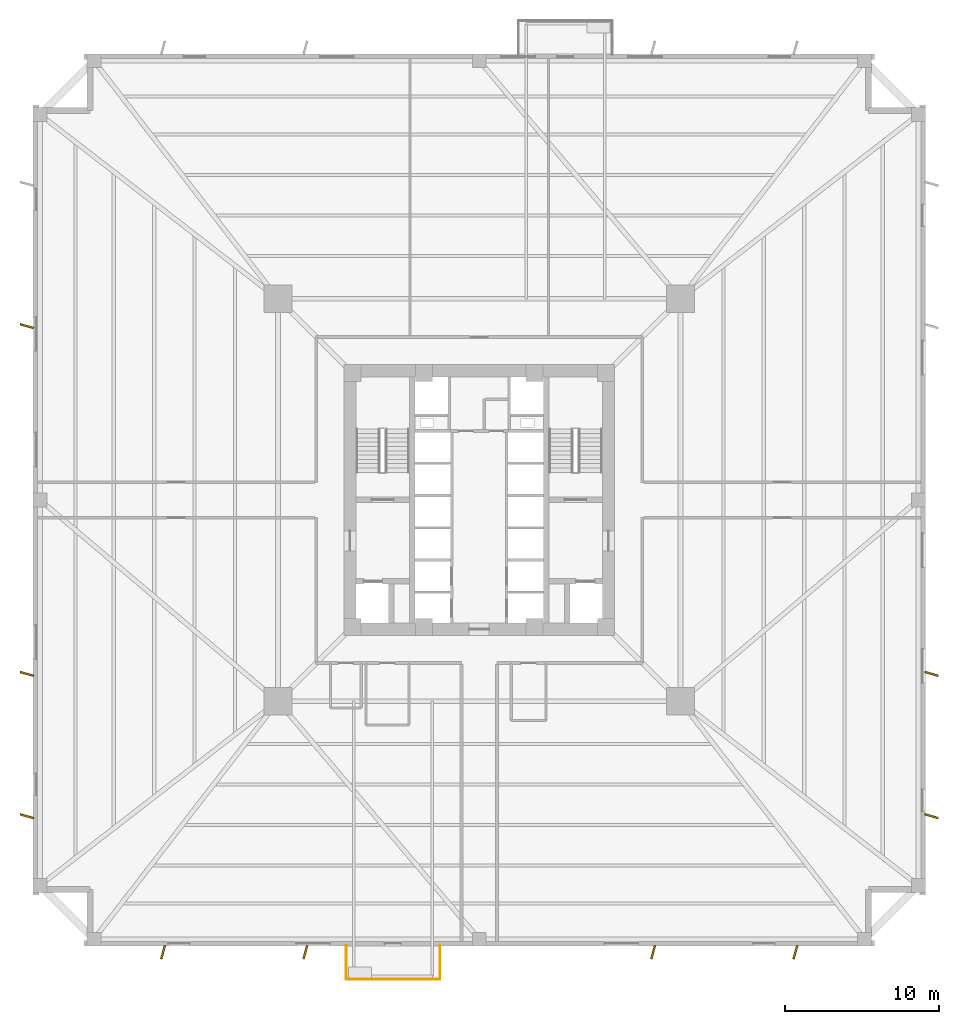
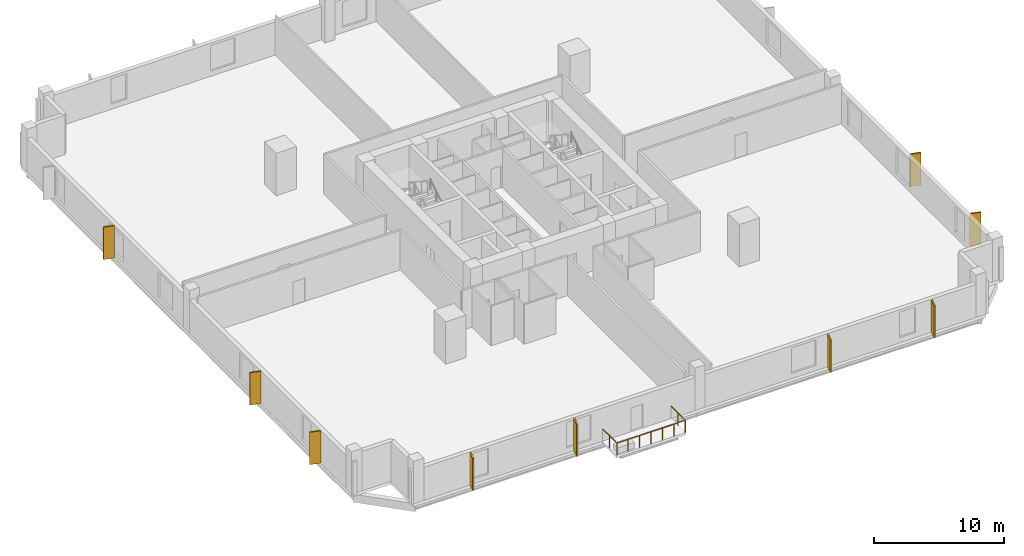
# One storey, part 6 of 8: 9 coverings, 3 railings.
"""IFC4 building model written with IfcOpenShell, lengths in metres."""

from ifc_helpers import new_model, si_unit, direction, frame, origin, origin_2d, place, context, subcontext, project, spatial, rectangle, circle, extrude, source, transform, mapped, material, layer, layer_set, type_object, element, save


model = new_model("IFC4")

# Units and contexts
model_context = context("Model", 3, precision=1e-05, world=origin(), true_north=direction((0.0, 1.0)))
body_context = subcontext(model_context, "Body", "Model", "MODEL_VIEW")
ifc_project = project(units=[si_unit("LENGTHUNIT", "METRE"), si_unit("AREAUNIT", "SQUARE_METRE"), si_unit("VOLUMEUNIT", "CUBIC_METRE"), si_unit("PLANEANGLEUNIT", "RADIAN"), si_unit("MASSUNIT", "GRAM", prefix="KILO"), si_unit("THERMODYNAMICTEMPERATUREUNIT", "KELVIN")], contexts=[model_context])

# Site, building, storey
site_placement = place(None, origin())
site = spatial("IfcSite", under=ifc_project, at=site_placement, CompositionType="ELEMENT")
building_placement = place(site_placement, origin())
building = spatial("IfcBuilding", under=site, at=building_placement, Name="Kosmvard Interchange Tower", CompositionType="ELEMENT")
storey_placement = place(building_placement, frame((0.0, 0.0, 30.0)))
storey = spatial("IfcBuildingStorey", under=building, at=storey_placement, Name="L06", CompositionType="ELEMENT", Elevation=30.0)

# Railings
ifc_material_1 = material(Name="Steel S355", Category="steel")
railing_type = type_object("IfcRailingType", Name="Observation & Balcony Glass-Infill Balustrade 1150", PredefinedType="BALUSTRADE", material=ifc_material_1)
shared_shape_1 = source(origin(), body_context, "Body", "SweptSolid", [
    extrude(circle(Radius=0.02392578125, at=origin_2d()), frame((0.0, 0.0, 1.1259765625), z_axis=(0.0, -1.0, 0.0), x_axis=(1.0, 0.0, 0.0)), (0.0, 0.0, 1.0), 2.199951171875),
    extrude(circle(Radius=0.02099609375, at=origin_2d()), origin(), (0.0, 0.0, 1.0), 1.101806640625),
    extrude(circle(Radius=0.02099609375, at=origin_2d()), frame((0.0, -1.10009765625, 0.0)), (0.0, 0.0, 1.0), 1.101806640625),
    extrude(circle(Radius=0.02099609375, at=origin_2d()), frame((0.0, -2.199951171875, 0.0)), (0.0, 0.0, 1.0), 1.101806640625),
])
railing_1_placement = place(storey_placement, frame((-8.64990234375, -28.949951171875, 0.0)))
element("IfcRailing", 1, at=railing_1_placement, inside=storey, type_object=railing_type, Name="L06 Outdoor Terrace Guard BAL-L06-S-A", PredefinedType="BALUSTRADE", context=body_context, shape_type="MappedRepresentation", body=[
    mapped(shared_shape_1, transform((0.0, 0.0, 0.0), scale=1.0)),
])
shared_shape_2 = source(origin(), body_context, "Body", "SweptSolid", [
    extrude(circle(Radius=0.02392578125, at=origin_2d()), frame((0.0, 0.0, 1.1259765625), z_axis=(1.0, 0.0, 0.0), x_axis=(0.0, 1.0, 0.0)), (0.0, 0.0, 1.0), 6.099853515625),
    extrude(circle(Radius=0.02099609375, at=origin_2d()), origin(), (0.0, 0.0, 1.0), 1.101806640625),
    extrude(circle(Radius=0.02099609375, at=origin_2d()), frame((1.0166015625, 0.0, 0.0)), (0.0, 0.0, 1.0), 1.101806640625),
    extrude(circle(Radius=0.02099609375, at=origin_2d()), frame((2.033203125, 0.0, 0.0)), (0.0, 0.0, 1.0), 1.101806640625),
    extrude(circle(Radius=0.02099609375, at=origin_2d()), frame((3.0498046875, 0.0, 0.0)), (0.0, 0.0, 1.0), 1.101806640625),
    extrude(circle(Radius=0.02099609375, at=origin_2d()), frame((4.066650390625, 0.0, 0.0)), (0.0, 0.0, 1.0), 1.101806640625),
    extrude(circle(Radius=0.02099609375, at=origin_2d()), frame((5.083251953125, 0.0, 0.0)), (0.0, 0.0, 1.0), 1.101806640625),
    extrude(circle(Radius=0.02099609375, at=origin_2d()), frame((6.099853515625, 0.0, 0.0)), (0.0, 0.0, 1.0), 1.101806640625),
])
railing_2_placement = place(storey_placement, frame((-8.64990234375, -31.14990234375, 0.0)))
element("IfcRailing", 2, at=railing_2_placement, inside=storey, type_object=railing_type, Name="L06 Outdoor Terrace Guard BAL-L06-S-B", PredefinedType="BALUSTRADE", context=body_context, shape_type="MappedRepresentation", body=[
    mapped(shared_shape_2, transform((0.0, 0.0, 0.0), scale=1.0)),
])
shared_shape_3 = source(origin(), body_context, "Body", "SweptSolid", [
    extrude(circle(Radius=0.02392578125, at=origin_2d()), frame((0.0, 0.0, 1.1259765625), z_axis=(0.0, 1.0, 0.0), x_axis=(-1.0, 0.0, 0.0)), (0.0, 0.0, 1.0), 2.199951171875),
    extrude(circle(Radius=0.02099609375, at=origin_2d()), origin(), (0.0, 0.0, 1.0), 1.101806640625),
    extrude(circle(Radius=0.02099609375, at=origin_2d()), frame((0.0, 1.10009765625, 0.0)), (0.0, 0.0, 1.0), 1.101806640625),
    extrude(circle(Radius=0.02099609375, at=origin_2d()), frame((0.0, 2.199951171875, 0.0)), (0.0, 0.0, 1.0), 1.101806640625),
])
railing_3_placement = place(storey_placement, frame((-2.550048828125, -31.14990234375, 0.0)))
element("IfcRailing", 3, at=railing_3_placement, inside=storey, type_object=railing_type, Name="L06 Outdoor Terrace Guard BAL-L06-S-C", PredefinedType="BALUSTRADE", context=body_context, shape_type="MappedRepresentation", body=[
    mapped(shared_shape_3, transform((0.0, 0.0, 0.0), scale=1.0)),
])

# Coverings
ifc_material_2 = material(Name="Architectural anodised aluminium", Category="aluminium")
ifc_layer = layer(ifc_material_2, 0.1201171875, Name="Architectural anodised aluminium")
ifc_layer_set = layer_set([ifc_layer], Name="Architectural anodised aluminium")
covering_type = type_object("IfcCoveringType", Name="Rotating Vertical Sun-Breaker Fin 900x120 Aluminium", PredefinedType="CLADDING", material=ifc_layer_set)
shared_shape_4 = source(origin(), body_context, "Body", "SweptSolid", [
    extrude(rectangle(XDim=0.89990234375, YDim=0.1201171875, at=origin_2d()), origin(), (0.0, 0.0, 1.0), 3.0400390625),
])
for number, where, z_axis, x_axis, name in (
    (4, (-20.552001953125, -29.39990234375, 0.0400390625), (0.0, 0.0, 1.0), (-0.268079200424, -0.963396876837, 0.0), "L06 Rotating Vertical Sun-Breaker Fin 01"),
    (5, (-11.3037109375, -29.39990234375, 0.0400390625), (0.0, 0.0, 1.0), (-0.268079200424, -0.963396876837, 0.0), "L06 Rotating Vertical Sun-Breaker Fin 02"),
    (6, (11.3037109375, -29.39990234375, 0.0400390625), (0.0, 0.0, 1.0), (-0.268079200424, -0.963396876837, 0.0), "L06 Rotating Vertical Sun-Breaker Fin 03"),
    (7, (20.552001953125, -29.39990234375, 0.0400390625), (0.0, 0.0, 1.0), (-0.268079200424, -0.963396876837, 0.0), "L06 Rotating Vertical Sun-Breaker Fin 04"),
    (8, (29.39990234375, -20.552001953125, 0.0400390625), (0.0, 0.0, 1.0), (0.963396876837, -0.268079200424, 0.0), "L06 Rotating Vertical Sun-Breaker Fin 05"),
    (9, (29.39990234375, -11.3037109375, 0.0400390625), (0.0, 0.0, 1.0), (0.963396876837, -0.268079200424, 0.0), "L06 Rotating Vertical Sun-Breaker Fin 06"),
    (10, (-29.39990234375, 11.3037109375, 0.0400390625), (0.0, 0.0, 1.0), (-0.963396876837, 0.268079200424, 0.0), "L06 Rotating Vertical Sun-Breaker Fin 14"),
    (11, (-29.39990234375, -11.3037109375, 0.0400390625), (0.0, 0.0, 1.0), (-0.963396876837, 0.268079200424, 0.0), "L06 Rotating Vertical Sun-Breaker Fin 15"),
    (12, (-29.39990234375, -20.552001953125, 0.0400390625), (0.0, 0.0, 1.0), (-0.963396876837, 0.268079200424, 0.0), "L06 Rotating Vertical Sun-Breaker Fin 16"),
):
    element("IfcCovering", number, at=place(storey_placement, frame(where, z_axis=z_axis, x_axis=x_axis)), inside=storey, type_object=covering_type, Name=name, PredefinedType="CLADDING", context=body_context, shape_type="MappedRepresentation", body=[
        mapped(shared_shape_4, transform((0.0, 0.0, 0.0), scale=1.0)),
    ])

save(model, "model.ifc")
